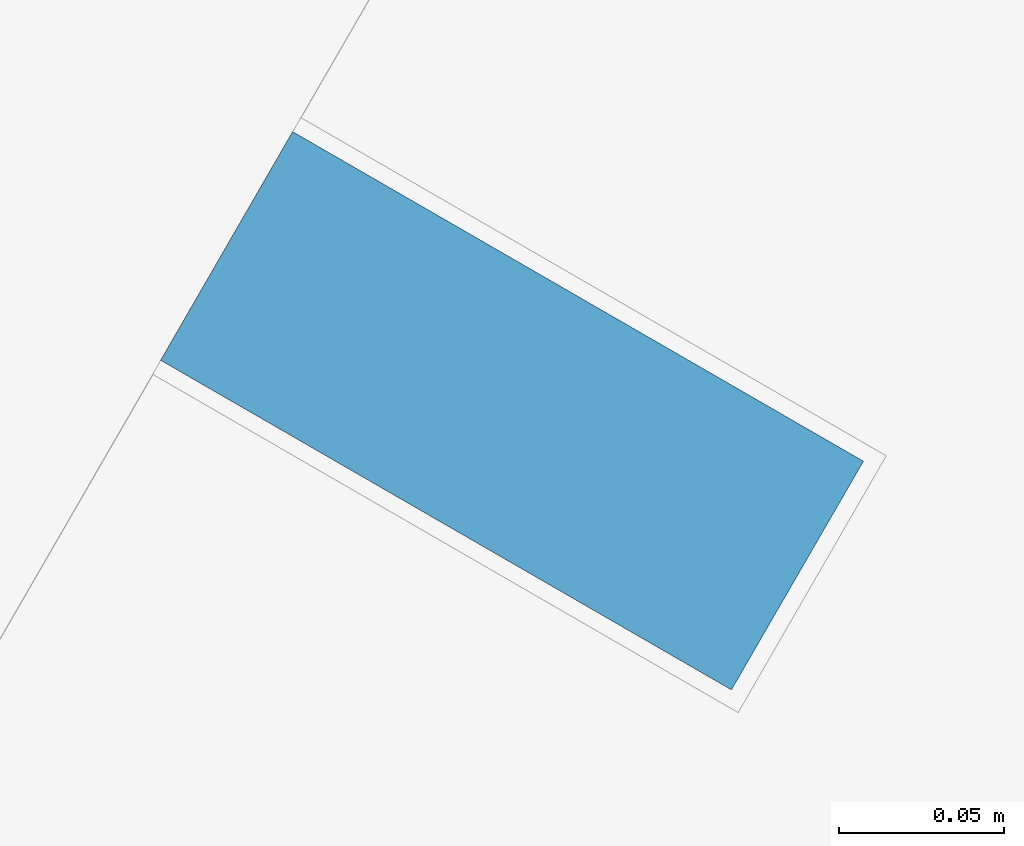
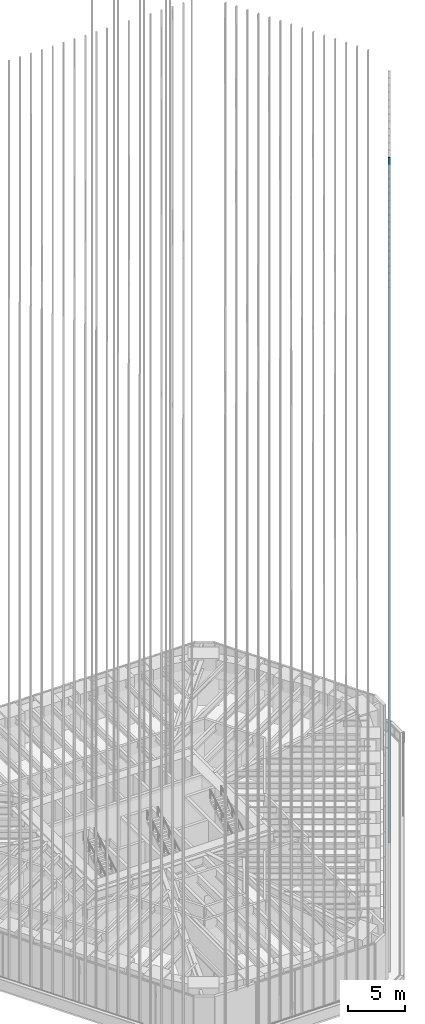
# One storey, part 107 of 228: 1 member, 1 element without a shape of its own.
"""IFC4 building model written with IfcOpenShell, lengths in metres."""

from ifc_helpers import new_model, si_unit, direction, frame, origin, origin_2d, place, context, subcontext, project, spatial, rectangle, extrude, material, material_profile, profile_set, type_object, element, aggregate, save


model = new_model("IFC4")

# Units and contexts
model_context = context("Model", 3, precision=1e-05, world=origin(), true_north=direction((0.0, 1.0)))
body_context = subcontext(model_context, "Body", "Model", "MODEL_VIEW")
ifc_project = project(units=[si_unit("LENGTHUNIT", "METRE"), si_unit("AREAUNIT", "SQUARE_METRE"), si_unit("VOLUMEUNIT", "CUBIC_METRE"), si_unit("PLANEANGLEUNIT", "RADIAN"), si_unit("MASSUNIT", "GRAM", prefix="KILO")], contexts=[model_context])

# Site, building, storey
site_placement = place(None, origin())
site = spatial("IfcSite", under=ifc_project, at=site_placement, CompositionType="ELEMENT")
building_placement = place(site_placement, origin())
building = spatial("IfcBuilding", under=site, at=building_placement, Name="Sandreach Pilgrim Tower", CompositionType="ELEMENT")
storey_placement = place(building_placement, frame((0.0, 0.0, 178.199951171875)))
storey = spatial("IfcBuildingStorey", under=building, at=storey_placement, Name="L44", CompositionType="ELEMENT", Elevation=178.199951171875)

# Curtain wall, member
ifc_material_1 = material(Name="Aluminium framed curtain wall", Category="aluminium")
curtain_wall_type = type_object("IfcCurtainWallType", Name="Upper hotel tower curtain wall", PredefinedType="NOTDEFINED", material=ifc_material_1)
curtain_wall_placement = place(storey_placement, origin())
curtain_wall = element("IfcCurtainWall", 1, at=curtain_wall_placement, inside=storey, type_object=curtain_wall_type, Name="CW-3 L44 SE", PredefinedType="NOTDEFINED")
ifc_material_2 = material(Name="Extruded terracotta on aluminium core", Category="masonry")
ifc_material_profile = material_profile(ifc_material_2, rectangle(XDim=0.080078125, YDim=0.199951171875, at=origin_2d()), Name="TBE 80X200")
ifc_profile_set = profile_set([ifc_material_profile], Name="Extruded terracotta on aluminium core")
member_type = type_object("IfcMemberType", Name="Terracotta baguette east", PredefinedType="USERDEFINED", material=ifc_profile_set)
member_placement = place(storey_placement, frame((20.323486328125, -7.918701171875, 0.0), z_axis=(0.0, 0.0, 1.0), x_axis=(-0.5, -0.866025403784, 0.0)))
member = element("IfcMember", 2, at=member_placement, type_object=member_type, Name="Baguette Z3 SE13", ObjectType="BAGUETTE", PredefinedType="USERDEFINED", context=body_context, shape_type="SweptSolid", body=[
    extrude(rectangle(XDim=0.080078125, YDim=0.199951171875, at=origin_2d()), origin(), (0.0, 0.0, 1.0), 73.239990234375),
])
aggregate(curtain_wall, [member])

save(model, "model.ifc")
